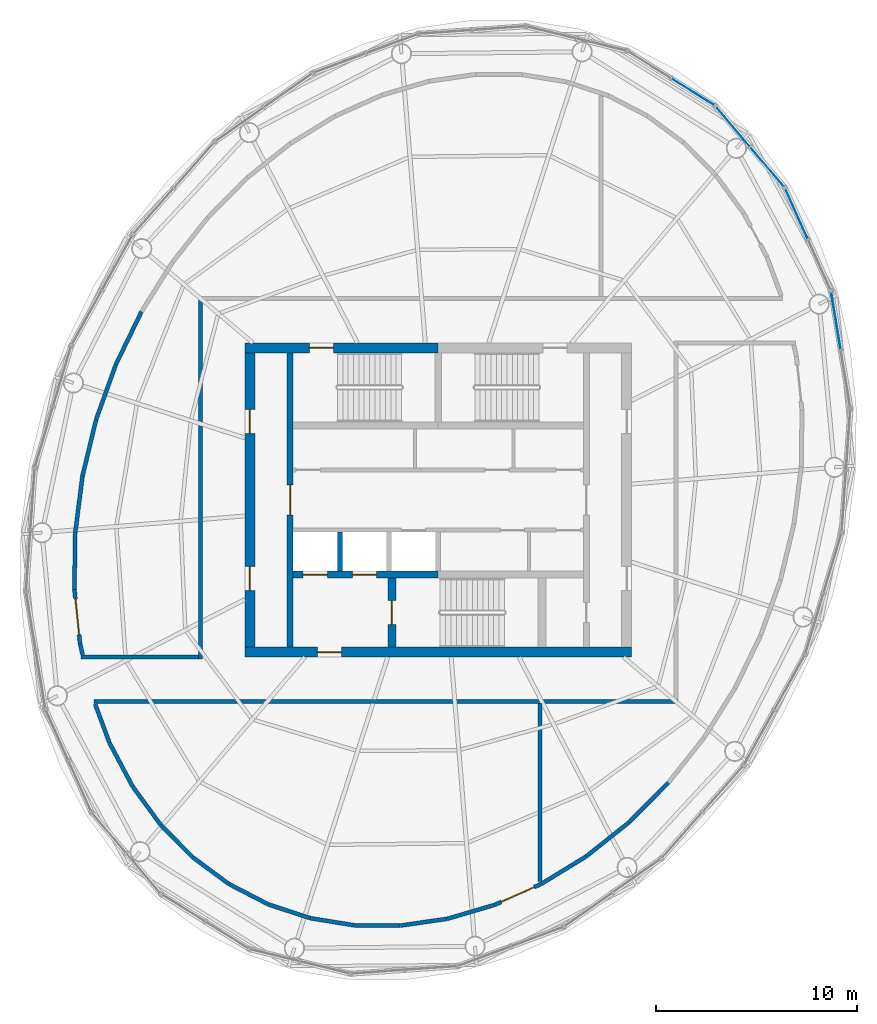
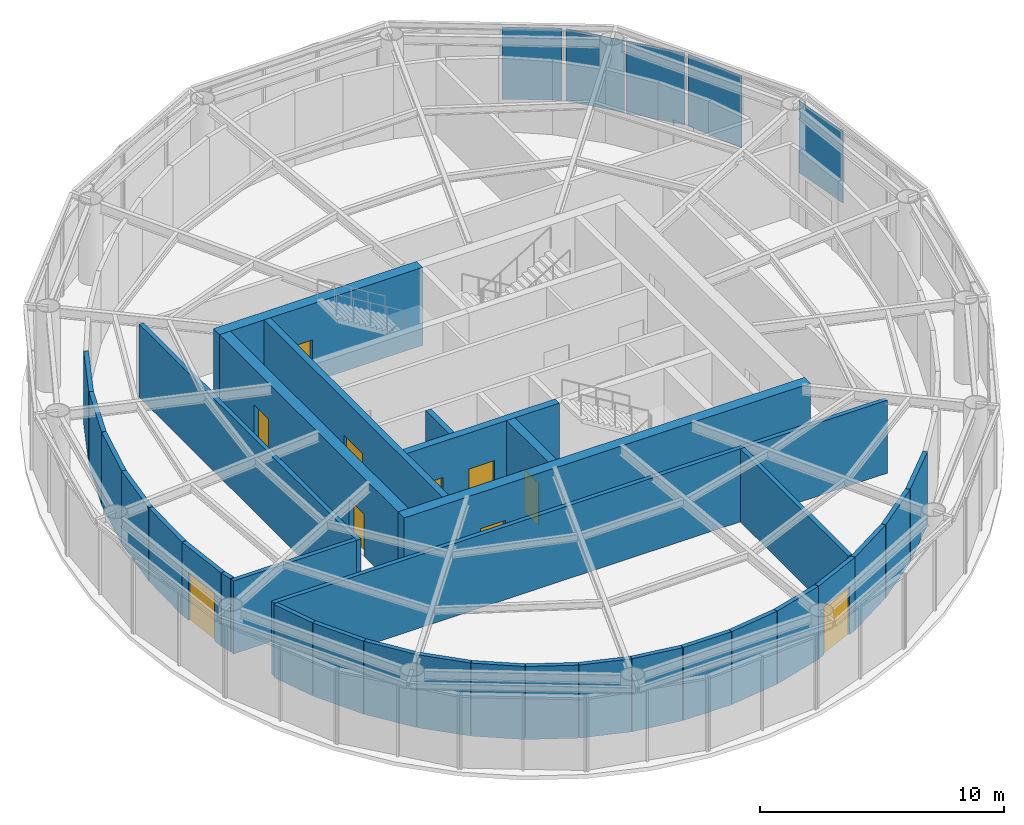
# One storey, part 8 of 11: 33 walls, 10 doors, 5 plates, 10 openings, 4 elements without a shape of their own.
"""IFC4 building model written with IfcOpenShell, lengths in metres."""

from ifc_helpers import new_model, si_unit, direction, frame, frame_2d, origin, origin_2d, place, context, subcontext, project, spatial, rectangle, extrude, material, layer, layer_set, type_object, element, fill, aggregate, save


model = new_model("IFC4")

# Units and contexts
model_context = context("Model", 3, precision=1e-05, world=origin(), true_north=direction((0.0, 1.0)))
body_context = subcontext(model_context, "Body", "Model", "MODEL_VIEW")
ifc_project = project(units=[si_unit("LENGTHUNIT", "METRE"), si_unit("AREAUNIT", "SQUARE_METRE"), si_unit("VOLUMEUNIT", "CUBIC_METRE"), si_unit("PLANEANGLEUNIT", "RADIAN"), si_unit("MASSUNIT", "GRAM", prefix="KILO")], contexts=[model_context])

# Site, building, storey
site_placement = place(None, origin())
site = spatial("IfcSite", under=ifc_project, at=site_placement, CompositionType="ELEMENT")
building_placement = place(site_placement, origin())
building = spatial("IfcBuilding", under=site, at=building_placement, Name="Vermilion Reach Broadcast Tower", CompositionType="ELEMENT")
storey_placement = place(building_placement, frame((0.0, 0.0, 317.10009765625)))
storey = spatial("IfcBuildingStorey", under=building, at=storey_placement, Name="L79 CROWN", CompositionType="ELEMENT", Elevation=317.10009765625)

# Curtain wall, plate
ifc_material_1 = material(Name="Low-e laminated clear glass in aluminium frame", Category="aluminium")
curtain_wall_type = type_object("IfcCurtainWallType", Name="Crown glazing curtain wall", PredefinedType="NOTDEFINED", material=ifc_material_1)
placement = place(storey_placement, origin())
curtain_wall_1 = element("IfcCurtainWall", 1, at=placement, inside=storey, type_object=curtain_wall_type, Name="Crown glazing L79 CROWN 21", PredefinedType="NOTDEFINED")
ifc_material_2 = material(Name="Low-e laminated clear glass", Category="glass")
ifc_layer_1 = layer(ifc_material_2, 0.031982421875)
ifc_layer_set_1 = layer_set([ifc_layer_1], Name="Crown glazing glass panel")
plate_type = type_object("IfcPlateType", Name="Crown glazing glass panel", PredefinedType="CURTAIN_PANEL", material=ifc_layer_set_1)
plate_1_placement = place(storey_placement, frame((13.740234375, 8.896240234375, -0.000244140625), z_axis=(0.0, 0.0, 1.0), x_axis=(-0.162618011697, 0.986689101121, 0.0)))
plate_1 = element("IfcPlate", 2, at=plate_1_placement, type_object=plate_type, Name="Crown glazing glass panel L79 CROWN 21.2.1", PredefinedType="CURTAIN_PANEL", context=body_context, shape_type="SweptSolid", body=[
    extrude(rectangle(XDim=2.837890625, YDim=0.031982421875, at=origin_2d()), origin(), (0.0, 0.0, 1.0), 3.60009765625),
])
aggregate(curtain_wall_1, [plate_1])

curtain_wall_2 = element("IfcCurtainWall", 3, at=placement, inside=storey, type_object=curtain_wall_type, Name="Crown glazing L79 CROWN 22", PredefinedType="NOTDEFINED")
plate_2_placement = place(storey_placement, frame((11.787841796875, 14.198974609375, -0.000244140625), z_axis=(0.0, 0.0, 1.0), x_axis=(-0.407984607158, 0.912988806241, 0.0)))
plate_2 = element("IfcPlate", 4, at=plate_2_placement, type_object=plate_type, Name="Crown glazing glass panel L79 CROWN 22.2.1", PredefinedType="CURTAIN_PANEL", context=body_context, shape_type="SweptSolid", body=[
    extrude(rectangle(XDim=2.685302734375, YDim=0.031982421875, at=origin_2d()), origin(), (0.0, 0.0, 1.0), 3.60009765625),
])
aggregate(curtain_wall_2, [plate_2])

# Curtain wall, plates
curtain_wall_3 = element("IfcCurtainWall", 5, at=placement, inside=storey, type_object=curtain_wall_type, Name="Crown glazing L79 CROWN 23", PredefinedType="NOTDEFINED")
plate_3_placement = place(storey_placement, frame((10.330810546875, 16.528564453125, -0.000244140625), z_axis=(0.0, 0.0, 1.0), x_axis=(-0.647871252038, 0.761749854468, 0.0)))
plate_3 = element("IfcPlate", 6, at=plate_3_placement, type_object=plate_type, Name="Crown glazing glass panel L79 CROWN 23.1.1", PredefinedType="CURTAIN_PANEL", context=body_context, shape_type="SweptSolid", body=[
    extrude(rectangle(XDim=2.546142578125, YDim=0.031982421875, at=origin_2d()), origin(), (0.0, 0.0, 1.0), 3.60009765625),
])
plate_4_placement = place(storey_placement, frame((8.62939453125, 18.52880859375, -0.000244140625), z_axis=(0.0, 0.0, 1.0), x_axis=(-0.647871252038, 0.761749854468, 0.0)))
plate_4 = element("IfcPlate", 7, at=plate_4_placement, type_object=plate_type, Name="Crown glazing glass panel L79 CROWN 23.2.1", PredefinedType="CURTAIN_PANEL", context=body_context, shape_type="SweptSolid", body=[
    extrude(rectangle(XDim=2.546142578125, YDim=0.031982421875, at=origin_2d()), origin(), (0.0, 0.0, 1.0), 3.60009765625),
])
aggregate(curtain_wall_3, [plate_3, plate_4])

# Curtain wall, plate
curtain_wall_4 = element("IfcCurtainWall", 8, at=placement, inside=storey, type_object=curtain_wall_type, Name="Crown glazing L79 CROWN 24", PredefinedType="NOTDEFINED")
plate_5_placement = place(storey_placement, frame((6.64013671875, 20.2529296875, -0.000244140625), z_axis=(0.0, 0.0, 1.0), x_axis=(-0.848708437827, 0.52886102859, 0.0)))
plate_5 = element("IfcPlate", 9, at=plate_5_placement, type_object=plate_type, Name="Crown glazing glass panel L79 CROWN 24.1.1", PredefinedType="CURTAIN_PANEL", context=body_context, shape_type="SweptSolid", body=[
    extrude(rectangle(XDim=2.462158203125, YDim=0.031982421875, at=origin_2d()), origin(), (0.0, 0.0, 1.0), 3.60009765625),
])
aggregate(curtain_wall_4, [plate_5])

# Wall, opening, door
ifc_material_3 = material(Name="Concrete C50", Category="concrete")
ifc_layer_2 = layer(ifc_material_3, 0.300048828125)
ifc_layer_set_2 = layer_set([ifc_layer_2], Name="Core inner wall 300 mm Concrete C50")
wall_type_1 = type_object("IfcWallType", Name="Core inner wall 300 mm Concrete C50", PredefinedType="SHEAR", material=ifc_layer_set_2)
wall_1_placement = place(storey_placement, frame((-13.35009765625, 7.300048828125, 0.0), z_axis=(0.0, 0.0, 1.0), x_axis=(0.0, -1.0, 0.0)))
wall_1 = element("IfcWall", 10, at=wall_1_placement, inside=storey, type_object=wall_type_1, Name="L79 CROWN core wall ewW", PredefinedType="SHEAR", context=body_context, shape_type="SweptSolid", body=[
    extrude(rectangle(XDim=14.60009765625, YDim=0.300048828125, at=frame_2d((7.300048828125, 0.0))), origin(), (0.0, 0.0, 1.0), 3.89990234375),
])
opening_1_placement = place(wall_1_placement, frame((6.550048828125, 0.0, 0.0)))
opening_1 = element("IfcOpeningElement", 11, at=opening_1_placement, cuts=wall_1, Name="Opening D04", PredefinedType="OPENING", context=body_context, shape_type="SweptSolid", body=[
    extrude(rectangle(XDim=1.5, YDim=2.10009765625, at=frame_2d((0.75, 1.050048828125))), frame((0.0, 0.159912109375, 0.0), z_axis=(0.0, -1.0, 0.0), x_axis=(1.0, 0.0, 0.0)), (0.0, 0.0, 1.0), 0.320068359375),
])
ifc_material_4 = material(Name="Painted steel fire door", Category="steel")
door_type_1 = type_object("IfcDoorType", Name="Lift lobby door 1500 x 2100", OperationType="DOUBLE_DOOR_SINGLE_SWING", PredefinedType="NOTDEFINED", material=ifc_material_4)
door_1_placement = place(opening_1_placement, origin())
door_1 = element("IfcDoor", 12, at=door_1_placement, inside=storey, type_object=door_type_1, Name="L79 CROWN band door BW", OperationType="DOUBLE_DOOR_SINGLE_SWING", OverallHeight=2.10009765625, OverallWidth=1.5, PredefinedType="NOTDEFINED", context=body_context, shape_type="SweptSolid", body=[
    extrude(rectangle(XDim=1.5, YDim=2.10009765625, at=frame_2d((0.75, 1.050048828125))), frame((0.0, 0.02490234375, 0.0), z_axis=(0.0, -1.0, 0.0), x_axis=(1.0, 0.0, 0.0)), (0.0, 0.0, 1.0), 0.050048828125),
])
fill(opening_1, door_1)

# Wall, openings, doors
ifc_material_5 = material(Name="Concrete C50", Category="concrete")
ifc_layer_3 = layer(ifc_material_5, 0.35009765625)
ifc_layer_set_3 = layer_set([ifc_layer_3], Name="Core inner wall 350 mm Concrete C50")
wall_type_2 = type_object("IfcWallType", Name="Core inner wall 350 mm Concrete C50", PredefinedType="SHEAR", material=ifc_layer_set_3)
wall_2_placement = place(storey_placement, frame((-13.199951171875, -3.705078125, 0.0), z_axis=(0.0, 0.0, 1.0), x_axis=(1.0, 0.0, 0.0)))
wall_2 = element("IfcWall", 13, at=wall_2_placement, inside=storey, type_object=wall_type_2, Name="L79 CROWN core wall wisW", PredefinedType="SHEAR", context=body_context, shape_type="SweptSolid", body=[
    extrude(rectangle(XDim=7.199951171875, YDim=0.35009765625, at=frame_2d((3.60009765625, 0.0))), origin(), (0.0, 0.0, 1.0), 3.89990234375),
])
opening_2_placement = place(wall_2_placement, frame((0.495849609375, 0.0, 0.0)))
opening_2 = element("IfcOpeningElement", 14, at=opening_2_placement, cuts=wall_2, Name="Opening LD1", PredefinedType="OPENING", context=body_context, shape_type="SweptSolid", body=[
    extrude(rectangle(XDim=1.199951171875, YDim=2.10009765625, at=frame_2d((0.60009765625, 1.050048828125))), frame((0.0, 0.18505859375, 0.0), z_axis=(0.0, -1.0, 0.0), x_axis=(1.0, 0.0, 0.0)), (0.0, 0.0, 1.0), 0.3701171875),
])
opening_3_placement = place(wall_2_placement, frame((2.9375, 0.0, 0.0)))
opening_3 = element("IfcOpeningElement", 15, at=opening_3_placement, cuts=wall_2, Name="Opening LD1", PredefinedType="OPENING", context=body_context, shape_type="SweptSolid", body=[
    extrude(rectangle(XDim=1.199951171875, YDim=2.10009765625, at=frame_2d((0.60009765625, 1.050048828125))), frame((0.0, 0.18505859375, 0.0), z_axis=(0.0, -1.0, 0.0), x_axis=(1.0, 0.0, 0.0)), (0.0, 0.0, 1.0), 0.3701171875),
])
ifc_material_6 = material(Name="Stainless steel", Category="steel")
door_type_2 = type_object("IfcDoorType", Name="Landing door 1200 x 2100", OperationType="DOUBLE_DOOR_SLIDING", PredefinedType="NOTDEFINED", material=ifc_material_6)
door_2_placement = place(opening_2_placement, origin())
door_2 = element("IfcDoor", 16, at=door_2_placement, inside=storey, type_object=door_type_2, Name="L79 CROWN landing door FF1", OperationType="DOUBLE_DOOR_SLIDING", OverallHeight=2.10009765625, OverallWidth=1.199951171875, PredefinedType="NOTDEFINED", context=body_context, shape_type="SweptSolid", body=[
    extrude(rectangle(XDim=1.199951171875, YDim=2.10009765625, at=frame_2d((0.60009765625, 1.050048828125))), frame((0.0, 0.02490234375, 0.0), z_axis=(0.0, -1.0, 0.0), x_axis=(1.0, 0.0, 0.0)), (0.0, 0.0, 1.0), 0.050048828125),
])
fill(opening_2, door_2)
door_3_placement = place(opening_3_placement, origin())
door_3 = element("IfcDoor", 17, at=door_3_placement, inside=storey, type_object=door_type_2, Name="L79 CROWN landing door FF2", OperationType="DOUBLE_DOOR_SLIDING", OverallHeight=2.10009765625, OverallWidth=1.199951171875, PredefinedType="NOTDEFINED", context=body_context, shape_type="SweptSolid", body=[
    extrude(rectangle(XDim=1.199951171875, YDim=2.10009765625, at=frame_2d((0.60009765625, 1.050048828125))), frame((0.0, 0.02490234375, 0.0), z_axis=(0.0, -1.0, 0.0), x_axis=(1.0, 0.0, 0.0)), (0.0, 0.0, 1.0), 0.050048828125),
])
fill(opening_3, door_3)

# Wall, opening, door
ifc_material_7 = material(Name="Concrete C50", Category="concrete")
ifc_layer_4 = layer(ifc_material_7, 0.39990234375)
ifc_layer_set_4 = layer_set([ifc_layer_4], Name="Core inner wall 400 mm Concrete C50")
wall_type_3 = type_object("IfcWallType", Name="Core inner wall 400 mm Concrete C50", PredefinedType="SHEAR", material=ifc_layer_set_4)
wall_3_placement = place(storey_placement, frame((-8.300048828125, -3.8798828125, 0.0), z_axis=(0.0, 0.0, 1.0), x_axis=(0.0, -1.0, 0.0)))
wall_3 = element("IfcWall", 18, at=wall_3_placement, inside=storey, type_object=wall_type_3, Name="L79 CROWN core wall wa", PredefinedType="SHEAR", context=body_context, shape_type="SweptSolid", body=[
    extrude(rectangle(XDim=3.420166015625, YDim=0.39990234375, at=frame_2d((1.7099609375, 0.0))), origin(), (0.0, 0.0, 1.0), 3.89990234375),
])
opening_4_placement = place(wall_3_placement, frame((1.110107421875, 0.0, 0.0)))
opening_4 = element("IfcOpeningElement", 19, at=opening_4_placement, cuts=wall_3, Name="Opening D01", PredefinedType="OPENING", context=body_context, shape_type="SweptSolid", body=[
    extrude(rectangle(XDim=1.199951171875, YDim=2.10009765625, at=frame_2d((0.60009765625, 1.050048828125))), frame((0.0, 0.2099609375, 0.0), z_axis=(0.0, -1.0, 0.0), x_axis=(1.0, 0.0, 0.0)), (0.0, 0.0, 1.0), 0.419921875),
])
ifc_material_8 = material(Name="Painted steel fire door", Category="steel")
door_type_3 = type_object("IfcDoorType", Name="Stair door 1200 x 2100", OperationType="DOUBLE_DOOR_SINGLE_SWING", PredefinedType="NOTDEFINED", material=ifc_material_8)
door_4_placement = place(opening_4_placement, origin())
door_4 = element("IfcDoor", 20, at=door_4_placement, inside=storey, type_object=door_type_3, Name="L79 CROWN stair door ST3", OperationType="DOUBLE_DOOR_SINGLE_SWING", OverallHeight=2.10009765625, OverallWidth=1.199951171875, PredefinedType="NOTDEFINED", context=body_context, shape_type="SweptSolid", body=[
    extrude(rectangle(XDim=1.199951171875, YDim=2.10009765625, at=frame_2d((0.60009765625, 1.050048828125))), frame((0.0, 0.02490234375, 0.0), z_axis=(0.0, -1.0, 0.0), x_axis=(1.0, 0.0, 0.0)), (0.0, 0.0, 1.0), 0.050048828125),
])
fill(opening_4, door_4)

ifc_material_9 = material(Name="Concrete C50", Category="concrete")
ifc_layer_5 = layer(ifc_material_9, 0.5)
ifc_layer_set_5 = layer_set([ifc_layer_5], Name="Core outer wall 500 mm Concrete C50")
wall_type_4 = type_object("IfcWallType", Name="Core outer wall 500 mm Concrete C50", PredefinedType="SHEAR", material=ifc_layer_set_5)
wall_4_placement = place(storey_placement, frame((-6.0, 7.550048828125, 0.0), z_axis=(0.0, 0.0, 1.0), x_axis=(-1.0, 0.0, 0.0)))
wall_4 = element("IfcWall", 21, at=wall_4_placement, inside=storey, type_object=wall_type_4, Name="L79 CROWN core wall onW", PredefinedType="SHEAR", context=body_context, shape_type="SweptSolid", body=[
    extrude(rectangle(XDim=9.60009765625, YDim=0.5, at=frame_2d((4.800048828125, 0.0))), origin(), (0.0, 0.0, 1.0), 3.89990234375),
])
opening_5_placement = place(wall_4_placement, frame((5.199951171875, 0.0, 0.0)))
opening_5 = element("IfcOpeningElement", 22, at=opening_5_placement, cuts=wall_4, Name="Opening D01", PredefinedType="OPENING", context=body_context, shape_type="SweptSolid", body=[
    extrude(rectangle(XDim=1.199951171875, YDim=2.10009765625, at=frame_2d((0.60009765625, 1.050048828125))), frame((0.0, 0.260009765625, 0.0), z_axis=(0.0, -1.0, 0.0), x_axis=(1.0, 0.0, 0.0)), (0.0, 0.0, 1.0), 0.52001953125),
])
door_5_placement = place(opening_5_placement, origin())
door_5 = element("IfcDoor", 23, at=door_5_placement, inside=storey, type_object=door_type_3, Name="L79 CROWN stair door ST1", OperationType="DOUBLE_DOOR_SINGLE_SWING", OverallHeight=2.10009765625, OverallWidth=1.199951171875, PredefinedType="NOTDEFINED", context=body_context, shape_type="SweptSolid", body=[
    extrude(rectangle(XDim=1.199951171875, YDim=2.10009765625, at=frame_2d((0.60009765625, 1.050048828125))), frame((0.0, 0.02490234375, 0.0), z_axis=(0.0, -1.0, 0.0), x_axis=(1.0, 0.0, 0.0)), (0.0, 0.0, 1.0), 0.050048828125),
])
fill(opening_5, door_5)

wall_5_placement = place(storey_placement, frame((-15.60009765625, -7.550048828125, 0.0), z_axis=(0.0, 0.0, 1.0), x_axis=(1.0, 0.0, 0.0)))
wall_5 = element("IfcWall", 24, at=wall_5_placement, inside=storey, type_object=wall_type_4, Name="L79 CROWN core wall os", PredefinedType="SHEAR", context=body_context, shape_type="SweptSolid", body=[
    extrude(rectangle(XDim=19.2001953125, YDim=0.5, at=frame_2d((9.60009765625, 0.0))), origin(), (0.0, 0.0, 1.0), 3.89990234375),
])
opening_6_placement = place(wall_5_placement, frame((3.60009765625, 0.0, 0.0)))
opening_6 = element("IfcOpeningElement", 25, at=opening_6_placement, cuts=wall_5, Name="Opening D02", PredefinedType="OPENING", context=body_context, shape_type="SweptSolid", body=[
    extrude(rectangle(XDim=1.199951171875, YDim=2.10009765625, at=frame_2d((0.60009765625, 1.050048828125))), frame((0.0, 0.260009765625, 0.0), z_axis=(0.0, -1.0, 0.0), x_axis=(1.0, 0.0, 0.0)), (0.0, 0.0, 1.0), 0.52001953125),
])
ifc_material_10 = material(Name="Painted steel fire door", Category="steel")
door_type_4 = type_object("IfcDoorType", Name="Firefighting lobby door 1200 x 2100", OperationType="DOUBLE_DOOR_SINGLE_SWING", PredefinedType="NOTDEFINED", material=ifc_material_10)
door_6_placement = place(opening_6_placement, origin())
door_6 = element("IfcDoor", 26, at=door_6_placement, inside=storey, type_object=door_type_4, Name="L79 CROWN ffdoor door FFL", OperationType="DOUBLE_DOOR_SINGLE_SWING", OverallHeight=2.10009765625, OverallWidth=1.199951171875, PredefinedType="NOTDEFINED", context=body_context, shape_type="SweptSolid", body=[
    extrude(rectangle(XDim=1.199951171875, YDim=2.10009765625, at=frame_2d((0.60009765625, 1.050048828125))), frame((0.0, 0.02490234375, 0.0), z_axis=(0.0, -1.0, 0.0), x_axis=(1.0, 0.0, 0.0)), (0.0, 0.0, 1.0), 0.050048828125),
])
fill(opening_6, door_6)

# Wall, openings, doors
wall_6_placement = place(storey_placement, frame((-15.35009765625, 7.300048828125, 0.0), z_axis=(0.0, 0.0, 1.0), x_axis=(0.0, -1.0, 0.0)))
wall_6 = element("IfcWall", 27, at=wall_6_placement, inside=storey, type_object=wall_type_4, Name="L79 CROWN core wall ow", PredefinedType="SHEAR", context=body_context, shape_type="SweptSolid", body=[
    extrude(rectangle(XDim=14.60009765625, YDim=0.5, at=frame_2d((7.300048828125, 0.0))), origin(), (0.0, 0.0, 1.0), 3.89990234375),
])
opening_7_placement = place(wall_6_placement, frame((10.60009765625, 0.0, 0.0)))
opening_7 = element("IfcOpeningElement", 28, at=opening_7_placement, cuts=wall_6, Name="Opening D03", PredefinedType="OPENING", context=body_context, shape_type="SweptSolid", body=[
    extrude(rectangle(XDim=1.199951171875, YDim=2.10009765625, at=frame_2d((0.60009765625, 1.050048828125))), frame((0.0, 0.260009765625, 0.0), z_axis=(0.0, -1.0, 0.0), x_axis=(1.0, 0.0, 0.0)), (0.0, 0.0, 1.0), 0.52001953125),
])
opening_8_placement = place(wall_6_placement, frame((2.800048828125, 0.0, 0.0)))
opening_8 = element("IfcOpeningElement", 29, at=opening_8_placement, cuts=wall_6, Name="Opening D03", PredefinedType="OPENING", context=body_context, shape_type="SweptSolid", body=[
    extrude(rectangle(XDim=1.199951171875, YDim=2.10009765625, at=frame_2d((0.60009765625, 1.050048828125))), frame((0.0, 0.260009765625, 0.0), z_axis=(0.0, -1.0, 0.0), x_axis=(1.0, 0.0, 0.0)), (0.0, 0.0, 1.0), 0.52001953125),
])
ifc_material_11 = material(Name="Painted steel fire door", Category="steel")
door_type_5 = type_object("IfcDoorType", Name="Core lobby door 1200 x 2100", OperationType="DOUBLE_DOOR_SINGLE_SWING", PredefinedType="NOTDEFINED", material=ifc_material_11)
door_7_placement = place(opening_7_placement, origin())
door_7 = element("IfcDoor", 30, at=door_7_placement, inside=storey, type_object=door_type_5, Name="L79 CROWN slot door W0", OperationType="DOUBLE_DOOR_SINGLE_SWING", OverallHeight=2.10009765625, OverallWidth=1.199951171875, PredefinedType="NOTDEFINED", context=body_context, shape_type="SweptSolid", body=[
    extrude(rectangle(XDim=1.199951171875, YDim=2.10009765625, at=frame_2d((0.60009765625, 1.050048828125))), frame((0.0, 0.02490234375, 0.0), z_axis=(0.0, -1.0, 0.0), x_axis=(1.0, 0.0, 0.0)), (0.0, 0.0, 1.0), 0.050048828125),
])
fill(opening_7, door_7)
door_8_placement = place(opening_8_placement, origin())
door_8 = element("IfcDoor", 31, at=door_8_placement, inside=storey, type_object=door_type_5, Name="L79 CROWN slot door W1", OperationType="DOUBLE_DOOR_SINGLE_SWING", OverallHeight=2.10009765625, OverallWidth=1.199951171875, PredefinedType="NOTDEFINED", context=body_context, shape_type="SweptSolid", body=[
    extrude(rectangle(XDim=1.199951171875, YDim=2.10009765625, at=frame_2d((0.60009765625, 1.050048828125))), frame((0.0, 0.02490234375, 0.0), z_axis=(0.0, -1.0, 0.0), x_axis=(1.0, 0.0, 0.0)), (0.0, 0.0, 1.0), 0.050048828125),
])
fill(opening_8, door_8)

# Walls
ifc_material_12 = material(Name="Concrete C50", Category="concrete")
ifc_layer_6 = layer(ifc_material_12, 0.25)
ifc_layer_set_6 = layer_set([ifc_layer_6], Name="Core shaft wall 250 mm Concrete C50")
wall_type_5 = type_object("IfcWallType", Name="Core shaft wall 250 mm Concrete C50", PredefinedType="SHEAR", material=ifc_layer_set_6)
wall_7_placement = place(storey_placement, frame((-10.88330078125, -1.60009765625, 0.0), z_axis=(0.0, 0.0, 1.0), x_axis=(0.0, -1.0, 0.0)))
element("IfcWall", 32, at=wall_7_placement, inside=storey, type_object=wall_type_5, Name="L79 CROWN core wall psS0", PredefinedType="SHEAR", context=body_context, shape_type="SweptSolid", body=[
    extrude(rectangle(XDim=1.929931640625, YDim=0.25, at=frame_2d((0.96484375, 0.0))), origin(), (0.0, 0.0, 1.0), 3.89990234375),
])
ifc_material_13 = material(Name="Gypsum board shaft wall")
ifc_layer_7 = layer(ifc_material_13, 0.199951171875)
ifc_layer_set_7 = layer_set([ifc_layer_7], Name="Plant room wall 200")
wall_type_6 = type_object("IfcWallType", Name="Plant room wall 200", PredefinedType="PARTITIONING", material=ifc_layer_set_7)
wall_8_placement = place(storey_placement, frame((-17.800048828125, -7.900146484375, 0.0), z_axis=(0.0, 0.0, 1.0), x_axis=(0.0, 1.0, 0.0)))
element("IfcWall", 33, at=wall_8_placement, inside=storey, type_object=wall_type_6, Name="sp.wall.L79 CROWN.001", PredefinedType="PARTITIONING", context=body_context, shape_type="SweptSolid", body=[
    extrude(rectangle(XDim=17.800048828125, YDim=0.199951171875, at=frame_2d((8.89990234375, 0.0))), origin(), (0.0, 0.0, 1.0), 3.64990234375),
])
wall_9_placement = place(storey_placement, frame((-23.076171875, -10.0, 0.0), z_axis=(0.0, 0.0, 1.0), x_axis=(1.0, 0.0, 0.0)))
element("IfcWall", 34, at=wall_9_placement, inside=storey, type_object=wall_type_6, Name="sp.wall.L79 CROWN.003", PredefinedType="PARTITIONING", context=body_context, shape_type="SweptSolid", body=[
    extrude(rectangle(XDim=28.97607421875, YDim=0.199951171875, at=frame_2d((14.488037109375, 0.0))), origin(), (0.0, 0.0, 1.0), 3.64990234375),
])
wall_10_placement = place(storey_placement, frame((-23.7236328125, -7.800048828125, 0.0), z_axis=(0.0, 0.0, 1.0), x_axis=(1.0, 0.0, 0.0)))
element("IfcWall", 35, at=wall_10_placement, inside=storey, type_object=wall_type_6, Name="sp.wall.L79 CROWN.005", PredefinedType="PARTITIONING", context=body_context, shape_type="SweptSolid", body=[
    extrude(rectangle(XDim=5.82373046875, YDim=0.199951171875, at=frame_2d((2.911865234375, 0.0))), origin(), (0.0, 0.0, 1.0), 3.64990234375),
])
wall_11_placement = place(storey_placement, frame((-23.774658203125, -7.140869140625, 0.0), z_axis=(0.0, 0.0, 1.0), x_axis=(0.2234024776, -0.974726286196, 0.0)))
element("IfcWall", 36, at=wall_11_placement, inside=storey, type_object=wall_type_6, Name="sp.wall.L79 CROWN.014", PredefinedType="PARTITIONING", context=body_context, shape_type="SweptSolid", body=[
    extrude(rectangle(XDim=0.55078125, YDim=0.199951171875, at=frame_2d((0.275390625, 0.0))), origin(), (0.0, 0.0, 1.0), 3.64990234375),
])

# Wall, opening, door
wall_12_placement = place(storey_placement, frame((-23.77734375, -7.12890625, 0.0), z_axis=(0.0, 0.0, 1.0), x_axis=(-0.102877560919, 0.994694027055, 0.0)))
wall_12 = element("IfcWall", 37, at=wall_12_placement, inside=storey, type_object=wall_type_6, Name="sp.wall.L79 CROWN.015", PredefinedType="PARTITIONING", context=body_context, shape_type="SweptSolid", body=[
    extrude(rectangle(XDim=2.70068359375, YDim=0.199951171875, at=frame_2d((1.350341796875, 0.0))), origin(), (0.0, 0.0, 1.0), 3.64990234375),
])
opening_9_placement = place(wall_12_placement, frame((0.4501953125, 0.0, 0.0)))
opening_9 = element("IfcOpeningElement", 38, at=opening_9_placement, cuts=wall_12, Name="Opening D53", PredefinedType="OPENING", context=body_context, shape_type="SweptSolid", body=[
    extrude(rectangle(XDim=1.800048828125, YDim=2.39990234375, at=frame_2d((0.89990234375, 1.199951171875))), frame((0.0, 0.10986328125, 0.0), z_axis=(0.0, -1.0, 0.0), x_axis=(1.0, 0.0, 0.0)), (0.0, 0.0, 1.0), 0.219970703125),
])
ifc_material_14 = material(Name="Timber and steel door set", Category="steel")
door_type_6 = type_object("IfcDoorType", Name="Plant double door 1800x2400", OperationType="NOTDEFINED", PredefinedType="DOOR", material=ifc_material_14)
door_9_placement = place(opening_9_placement, origin())
door_9 = element("IfcDoor", 39, at=door_9_placement, inside=storey, type_object=door_type_6, Name="sp.door.L79 CROWN.001", OperationType="DOUBLE_DOOR_SINGLE_SWING", OverallHeight=2.39990234375, OverallWidth=1.800048828125, PredefinedType="DOOR", context=body_context, shape_type="SweptSolid", body=[
    extrude(rectangle(XDim=1.800048828125, YDim=2.39990234375, at=frame_2d((0.89990234375, 1.199951171875))), frame((0.0, 0.02490234375, 0.0), z_axis=(0.0, -1.0, 0.0), x_axis=(1.0, 0.0, 0.0)), (0.0, 0.0, 1.0), 0.050048828125),
])
fill(opening_9, door_9)

# Walls
wall_13_placement = place(storey_placement, frame((-24.056396484375, -4.430908203125, 0.0), z_axis=(0.0, 0.0, 1.0), x_axis=(0.013897320686, 0.999903427576, 0.0)))
element("IfcWall", 40, at=wall_13_placement, inside=storey, type_object=wall_type_6, Name="sp.wall.L79 CROWN.016", PredefinedType="PARTITIONING", context=body_context, shape_type="SweptSolid", body=[
    extrude(rectangle(XDim=2.775634765625, YDim=0.199951171875, at=frame_2d((1.3876953125, 0.0))), origin(), (0.0, 0.0, 1.0), 3.64990234375),
])
wall_14_placement = place(storey_placement, frame((-24.017578125, -1.64404296875, 0.0), z_axis=(0.0, 0.0, 1.0), x_axis=(0.126302032537, 0.991991832919, 0.0)))
element("IfcWall", 41, at=wall_14_placement, inside=storey, type_object=wall_type_6, Name="sp.wall.L79 CROWN.017", PredefinedType="PARTITIONING", context=body_context, shape_type="SweptSolid", body=[
    extrude(rectangle(XDim=2.835693359375, YDim=0.199951171875, at=frame_2d((1.41796875, 0.0))), origin(), (0.0, 0.0, 1.0), 3.64990234375),
])
wall_15_placement = place(storey_placement, frame((-23.657958984375, 1.1796875, 0.0), z_axis=(0.0, 0.0, 1.0), x_axis=(0.234120678443, 0.972207543648, 0.0)))
element("IfcWall", 42, at=wall_15_placement, inside=storey, type_object=wall_type_6, Name="sp.wall.L79 CROWN.018", PredefinedType="PARTITIONING", context=body_context, shape_type="SweptSolid", body=[
    extrude(rectangle(XDim=2.877197265625, YDim=0.199951171875, at=frame_2d((1.4384765625, 0.0))), origin(), (0.0, 0.0, 1.0), 3.64990234375),
])
wall_16_placement = place(storey_placement, frame((-22.981689453125, 3.987548828125, 0.0), z_axis=(0.0, 0.0, 1.0), x_axis=(0.337478197562, 0.941333344873, 0.0)))
element("IfcWall", 43, at=wall_16_placement, inside=storey, type_object=wall_type_6, Name="sp.wall.L79 CROWN.019", PredefinedType="PARTITIONING", context=body_context, shape_type="SweptSolid", body=[
    extrude(rectangle(XDim=2.89794921875, YDim=0.199951171875, at=frame_2d((1.448974609375, 0.0))), origin(), (0.0, 0.0, 1.0), 3.64990234375),
])
wall_17_placement = place(storey_placement, frame((-22.0, 6.725830078125, 0.0), z_axis=(0.0, 0.0, 1.0), x_axis=(0.436405284506, 0.89975020292, 0.0)))
element("IfcWall", 44, at=wall_17_placement, inside=storey, type_object=wall_type_6, Name="sp.wall.L79 CROWN.020", PredefinedType="PARTITIONING", context=body_context, shape_type="SweptSolid", body=[
    extrude(rectangle(XDim=2.9091796875, YDim=0.199951171875, at=frame_2d((1.45458984375, 0.0))), origin(), (0.0, 0.0, 1.0), 3.64990234375),
])
wall_18_placement = place(storey_placement, frame((-0.943603515625, -18.928955078125, 0.0), z_axis=(0.0, 0.0, 1.0), x_axis=(0.0, 1.0, 0.0)))
element("IfcWall", 45, at=wall_18_placement, inside=storey, type_object=wall_type_6, Name="sp.wall.L79 CROWN.031", PredefinedType="PARTITIONING", context=body_context, shape_type="SweptSolid", body=[
    extrude(rectangle(XDim=8.828857421875, YDim=0.199951171875, at=frame_2d((4.41455078125, 0.0))), origin(), (0.0, 0.0, 1.0), 3.64990234375),
])
wall_19_placement = place(storey_placement, frame((3.467529296875, -16.0009765625, 0.0), z_axis=(0.0, 0.0, 1.0), x_axis=(0.704683921548, 0.70952136734, 0.0)))
element("IfcWall", 46, at=wall_19_placement, inside=storey, type_object=wall_type_6, Name="sp.wall.L79 CROWN.039", PredefinedType="PARTITIONING", context=body_context, shape_type="SweptSolid", body=[
    extrude(rectangle(XDim=2.77587890625, YDim=0.199951171875, at=frame_2d((1.387939453125, 0.0))), origin(), (0.0, 0.0, 1.0), 3.64990234375),
])
wall_20_placement = place(storey_placement, frame((1.3447265625, -17.689208984375, 0.0), z_axis=(0.0, 0.0, 1.0), x_axis=(0.782656107767, 0.62245434931, 0.0)))
element("IfcWall", 47, at=wall_20_placement, inside=storey, type_object=wall_type_6, Name="sp.wall.L79 CROWN.040", PredefinedType="PARTITIONING", context=body_context, shape_type="SweptSolid", body=[
    extrude(rectangle(XDim=2.700439453125, YDim=0.199951171875, at=frame_2d((1.35009765625, 0.0))), origin(), (0.0, 0.0, 1.0), 3.64990234375),
])
wall_21_placement = place(storey_placement, frame((-0.894287109375, -19.061279296875, 0.0), z_axis=(0.0, 0.0, 1.0), x_axis=(0.852667029926, 0.522454721557, 0.0)))
element("IfcWall", 48, at=wall_21_placement, inside=storey, type_object=wall_type_6, Name="sp.wall.L79 CROWN.041", PredefinedType="PARTITIONING", context=body_context, shape_type="SweptSolid", body=[
    extrude(rectangle(XDim=2.613525390625, YDim=0.199951171875, at=frame_2d((1.306640625, 0.0))), origin(), (0.0, 0.0, 1.0), 3.64990234375),
])

# Wall, opening, door
wall_22_placement = place(storey_placement, frame((-3.2060546875, -20.097412109375, 0.0), z_axis=(0.0, 0.0, 1.0), x_axis=(0.912552955942, 0.408958558538, 0.0)))
wall_22 = element("IfcWall", 49, at=wall_22_placement, inside=storey, type_object=wall_type_6, Name="sp.wall.L79 CROWN.042", PredefinedType="PARTITIONING", context=body_context, shape_type="SweptSolid", body=[
    extrude(rectangle(XDim=2.5205078125, YDim=0.199951171875, at=frame_2d((1.26025390625, 0.0))), origin(), (0.0, 0.0, 1.0), 3.64990234375),
])
opening_10_placement = place(wall_22_placement, frame((0.360107421875, 0.0, 0.0)))
opening_10 = element("IfcOpeningElement", 50, at=opening_10_placement, cuts=wall_22, Name="Opening D53", PredefinedType="OPENING", context=body_context, shape_type="SweptSolid", body=[
    extrude(rectangle(XDim=1.800048828125, YDim=2.39990234375, at=frame_2d((0.89990234375, 1.199951171875))), frame((0.0, 0.10986328125, 0.0), z_axis=(0.0, -1.0, 0.0), x_axis=(1.0, 0.0, 0.0)), (0.0, 0.0, 1.0), 0.219970703125),
])
door_10_placement = place(opening_10_placement, origin())
door_10 = element("IfcDoor", 51, at=door_10_placement, inside=storey, type_object=door_type_6, Name="sp.door.L79 CROWN.003", OperationType="DOUBLE_DOOR_SINGLE_SWING", OverallHeight=2.39990234375, OverallWidth=1.800048828125, PredefinedType="DOOR", context=body_context, shape_type="SweptSolid", body=[
    extrude(rectangle(XDim=1.800048828125, YDim=2.39990234375, at=frame_2d((0.89990234375, 1.199951171875))), frame((0.0, 0.02490234375, 0.0), z_axis=(0.0, -1.0, 0.0), x_axis=(1.0, 0.0, 0.0)), (0.0, 0.0, 1.0), 0.050048828125),
])
fill(opening_10, door_10)

# Walls
wall_23_placement = place(storey_placement, frame((-5.546630859375, -20.7861328125, 0.0), z_axis=(0.0, 0.0, 1.0), x_axis=(0.95934146389, 0.28224803925, 0.0)))
element("IfcWall", 52, at=wall_23_placement, inside=storey, type_object=wall_type_6, Name="sp.wall.L79 CROWN.045", PredefinedType="PARTITIONING", context=body_context, shape_type="SweptSolid", body=[
    extrude(rectangle(XDim=2.42626953125, YDim=0.199951171875, at=frame_2d((1.213134765625, 0.0))), origin(), (0.0, 0.0, 1.0), 3.64990234375),
])
wall_24_placement = place(storey_placement, frame((-7.875, -21.123291015625, 0.0), z_axis=(0.0, 0.0, 1.0), x_axis=(0.989671979467, 0.143350525141, 0.0)))
element("IfcWall", 53, at=wall_24_placement, inside=storey, type_object=wall_type_6, Name="sp.wall.L79 CROWN.046", PredefinedType="PARTITIONING", context=body_context, shape_type="SweptSolid", body=[
    extrude(rectangle(XDim=2.33837890625, YDim=0.199951171875, at=frame_2d((1.169189453125, 0.0))), origin(), (0.0, 0.0, 1.0), 3.64990234375),
])
wall_25_placement = place(storey_placement, frame((-10.15380859375, -21.111328125, 0.0), z_axis=(0.0, 0.0, 1.0), x_axis=(0.999986603133, -0.005176248997, 0.0)))
element("IfcWall", 54, at=wall_25_placement, inside=storey, type_object=wall_type_6, Name="sp.wall.L79 CROWN.047", PredefinedType="PARTITIONING", context=body_context, shape_type="SweptSolid", body=[
    extrude(rectangle(XDim=2.263916015625, YDim=0.199951171875, at=frame_2d((1.1318359375, 0.0))), origin(), (0.0, 0.0, 1.0), 3.64990234375),
])
wall_26_placement = place(storey_placement, frame((-12.350341796875, -20.75732421875, 0.0), z_axis=(0.0, 0.0, 1.0), x_axis=(0.987257926423, -0.159128208423, 0.0)))
element("IfcWall", 55, at=wall_26_placement, inside=storey, type_object=wall_type_6, Name="sp.wall.L79 CROWN.048", PredefinedType="PARTITIONING", context=body_context, shape_type="SweptSolid", body=[
    extrude(rectangle(XDim=2.209228515625, YDim=0.199951171875, at=frame_2d((1.1044921875, 0.0))), origin(), (0.0, 0.0, 1.0), 3.64990234375),
])
wall_27_placement = place(storey_placement, frame((-14.436767578125, -20.0703125, 0.0), z_axis=(0.0, 0.0, 1.0), x_axis=(0.949852302688, -0.312698901627, 0.0)))
element("IfcWall", 56, at=wall_27_placement, inside=storey, type_object=wall_type_6, Name="sp.wall.L79 CROWN.049", PredefinedType="PARTITIONING", context=body_context, shape_type="SweptSolid", body=[
    extrude(rectangle(XDim=2.1806640625, YDim=0.199951171875, at=frame_2d((1.09033203125, 0.0))), origin(), (0.0, 0.0, 1.0), 3.64990234375),
])
wall_28_placement = place(storey_placement, frame((-16.373291015625, -19.067626953125, 0.0), z_axis=(0.0, 0.0, 1.0), x_axis=(0.888068415533, -0.45971131086, 0.0)))
element("IfcWall", 57, at=wall_28_placement, inside=storey, type_object=wall_type_6, Name="sp.wall.L79 CROWN.050", PredefinedType="PARTITIONING", context=body_context, shape_type="SweptSolid", body=[
    extrude(rectangle(XDim=2.16455078125, YDim=0.199951171875, at=frame_2d((1.082275390625, 0.0))), origin(), (0.0, 0.0, 1.0), 3.64990234375),
])
wall_29_placement = place(storey_placement, frame((-18.164794921875, -17.747802734375, 0.0), z_axis=(0.0, 0.0, 1.0), x_axis=(0.80443326696, -0.594043027909, 0.0)))
element("IfcWall", 58, at=wall_29_placement, inside=storey, type_object=wall_type_6, Name="sp.wall.L79 CROWN.051", PredefinedType="PARTITIONING", context=body_context, shape_type="SweptSolid", body=[
    extrude(rectangle(XDim=2.20947265625, YDim=0.199951171875, at=frame_2d((1.104736328125, 0.0))), origin(), (0.0, 0.0, 1.0), 3.64990234375),
])
wall_30_placement = place(storey_placement, frame((-19.76953125, -16.12939453125, 0.0), z_axis=(0.0, 0.0, 1.0), x_axis=(0.703376280453, -0.710817703843, 0.0)))
element("IfcWall", 59, at=wall_30_placement, inside=storey, type_object=wall_type_6, Name="sp.wall.L79 CROWN.052", PredefinedType="PARTITIONING", context=body_context, shape_type="SweptSolid", body=[
    extrude(rectangle(XDim=2.263671875, YDim=0.199951171875, at=frame_2d((1.1318359375, 0.0))), origin(), (0.0, 0.0, 1.0), 3.64990234375),
])
wall_31_placement = place(storey_placement, frame((-21.159912109375, -14.230712890625, 0.0), z_axis=(0.0, 0.0, 1.0), x_axis=(0.590082027637, -0.807343297897, 0.0)))
element("IfcWall", 60, at=wall_31_placement, inside=storey, type_object=wall_type_6, Name="sp.wall.L79 CROWN.053", PredefinedType="PARTITIONING", context=body_context, shape_type="SweptSolid", body=[
    extrude(rectangle(XDim=2.33837890625, YDim=0.199951171875, at=frame_2d((1.169189453125, 0.0))), origin(), (0.0, 0.0, 1.0), 3.64990234375),
])
wall_32_placement = place(storey_placement, frame((-22.31396484375, -12.065185546875, 0.0), z_axis=(0.0, 0.0, 1.0), x_axis=(0.469606334902, -0.882875920059, 0.0)))
element("IfcWall", 61, at=wall_32_placement, inside=storey, type_object=wall_type_6, Name="sp.wall.L79 CROWN.054", PredefinedType="PARTITIONING", context=body_context, shape_type="SweptSolid", body=[
    extrude(rectangle(XDim=2.439697265625, YDim=0.199951171875, at=frame_2d((1.2197265625, 0.0))), origin(), (0.0, 0.0, 1.0), 3.64990234375),
])
wall_33_placement = place(storey_placement, frame((-23.0263671875, -10.134521484375, 0.0), z_axis=(0.0, 0.0, 1.0), x_axis=(0.346197844841, -0.938161527791, 0.0)))
element("IfcWall", 62, at=wall_33_placement, inside=storey, type_object=wall_type_6, Name="sp.wall.L79 CROWN.055", PredefinedType="PARTITIONING", context=body_context, shape_type="SweptSolid", body=[
    extrude(rectangle(XDim=2.04443359375, YDim=0.199951171875, at=frame_2d((1.022216796875, 0.0))), origin(), (0.0, 0.0, 1.0), 3.64990234375),
])

save(model, "model.ifc")
